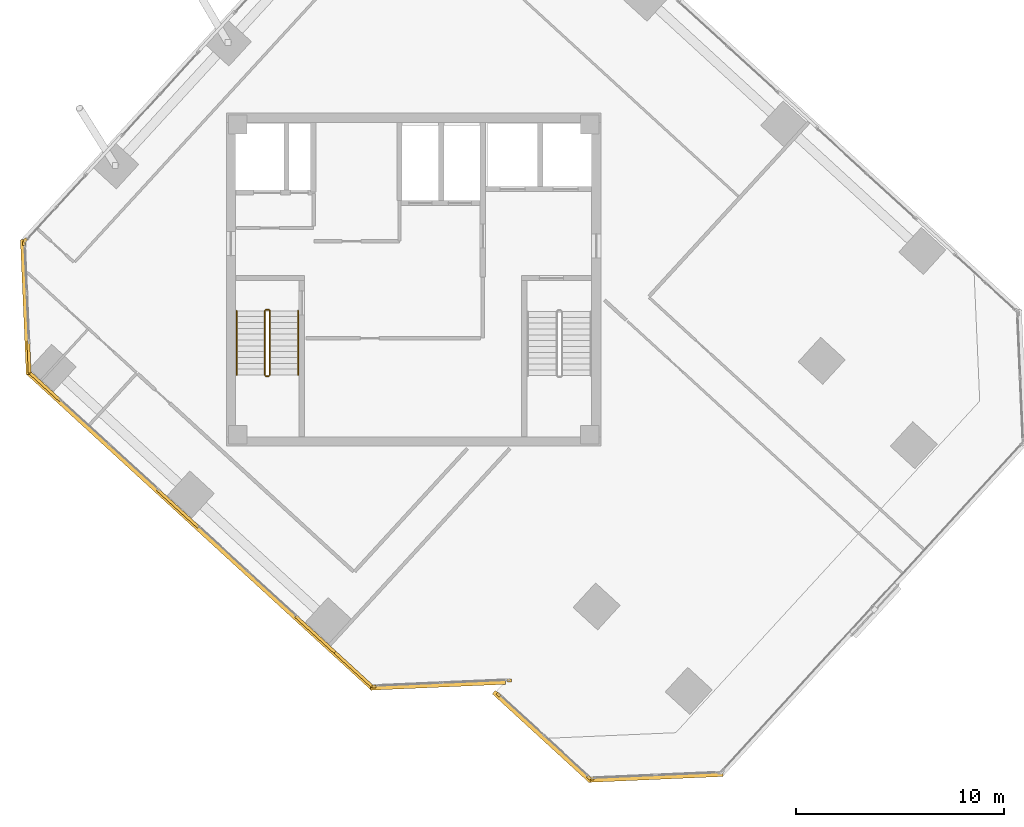
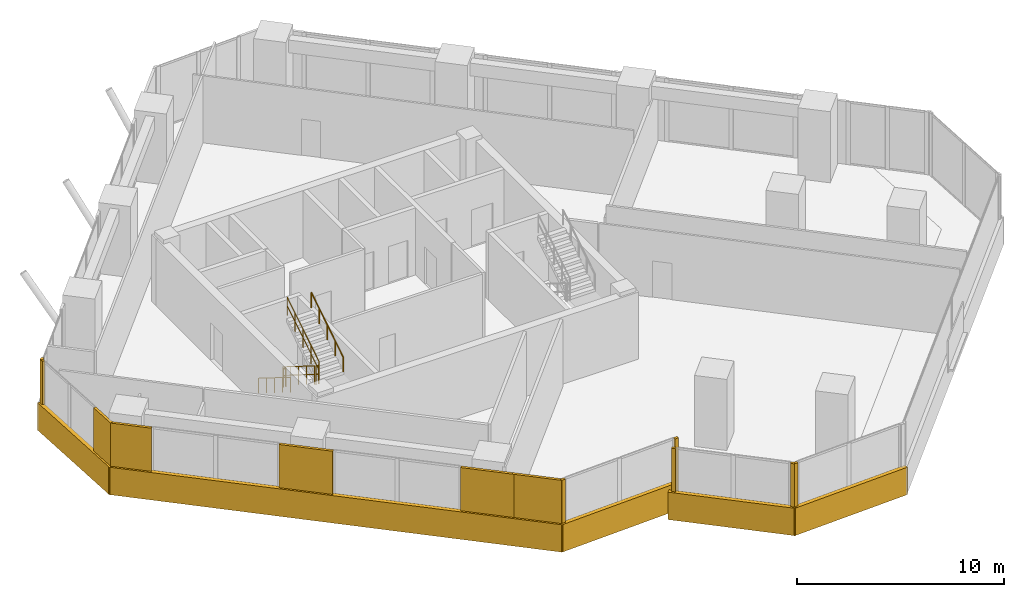
# One storey, part 15 of 18: 17 coverings, 6 railings.
"""IFC4 building model written with IfcOpenShell, lengths in metres."""

from ifc_helpers import new_model, si_unit, direction, frame, origin, origin_2d, place, context, subcontext, project, spatial, rectangle, circle, extrude, source, transform, mapped, material, layer, layer_set, type_object, element, save


model = new_model("IFC4")

# Units and contexts
model_context = context("Model", 3, precision=1e-05, world=origin(), true_north=direction((0.0, 1.0)))
body_context = subcontext(model_context, "Body", "Model", "MODEL_VIEW")
ifc_project = project(units=[si_unit("LENGTHUNIT", "METRE"), si_unit("AREAUNIT", "SQUARE_METRE"), si_unit("VOLUMEUNIT", "CUBIC_METRE"), si_unit("PLANEANGLEUNIT", "RADIAN"), si_unit("MASSUNIT", "GRAM", prefix="KILO")], contexts=[model_context])

# Site, building, storey
site_placement = place(None, origin())
site = spatial("IfcSite", under=ifc_project, at=site_placement, CompositionType="ELEMENT")
building_placement = place(site_placement, origin())
building = spatial("IfcBuilding", under=site, at=building_placement, Name="Torre Montelarca", CompositionType="ELEMENT")
storey_placement = place(building_placement, frame((0.0, 0.0, 237.39990234375)))
storey = spatial("IfcBuildingStorey", under=building, at=storey_placement, Name="L53", CompositionType="ELEMENT", Elevation=237.39990234375)

# Railings
ifc_material_1 = material(Name="Powder-coated steel ASTM A500 Grade C", Category="steel")
railing_type_1 = type_object("IfcRailingType", Name="RL-GUARD-1100", PredefinedType="BALUSTRADE", material=ifc_material_1)
railing_1_placement = place(storey_placement, frame((10.85009765625, 30.5, 0.175048828125)))
element("IfcRailing", 1, at=railing_1_placement, inside=storey, type_object=railing_type_1, Name="L53 ST1 stair guard 1", PredefinedType="BALUSTRADE", context=body_context, shape_type="SweptSolid", body=[
    extrude(circle(Radius=0.02392578125, at=origin_2d()), frame((0.0, 0.0, 1.076171875), z_axis=(0.0, -0.847998304005, 0.529998940003), x_axis=(1.0, 0.0, 0.0)), (0.0, 0.0, 1.0), 3.632080078125),
    extrude(circle(Radius=0.02099609375, at=origin_2d()), frame((0.0, 0.0, 0.572021484375), z_axis=(0.0, -0.847998304005, 0.529998940003), x_axis=(1.0, 0.0, 0.0)), (0.0, 0.0, 1.0), 3.632080078125),
    extrude(circle(Radius=0.02099609375, at=origin_2d()), origin(), (0.0, 0.0, 1.0), 1.052001953125),
    extrude(circle(Radius=0.02099609375, at=origin_2d()), frame((0.0, -0.77001953125, 0.481201171875)), (0.0, 0.0, 1.0), 1.052001953125),
    extrude(circle(Radius=0.02099609375, at=origin_2d()), frame((0.0, -1.5400390625, 0.96240234375)), (0.0, 0.0, 1.0), 1.052001953125),
    extrude(circle(Radius=0.02099609375, at=origin_2d()), frame((0.0, -2.31005859375, 1.44384765625)), (0.0, 0.0, 1.0), 1.052001953125),
    extrude(circle(Radius=0.02099609375, at=origin_2d()), frame((0.0, -3.080078125, 1.925048828125)), (0.0, 0.0, 1.0), 1.052001953125),
])
railing_2_placement = place(storey_placement, frame((10.89990234375, 27.3701171875, 2.10009765625)))
element("IfcRailing", 2, at=railing_2_placement, inside=storey, type_object=railing_type_1, Name="L53 ST1 stair guard 2", PredefinedType="BALUSTRADE", context=body_context, shape_type="SweptSolid", body=[
    extrude(circle(Radius=0.02392578125, at=origin_2d()), frame((0.0, 0.0, 1.076171875), z_axis=(1.0, 0.0, 0.0), x_axis=(0.0, 1.0, 0.0)), (0.0, 0.0, 1.0), 0.150146484375),
    extrude(circle(Radius=0.02099609375, at=origin_2d()), frame((0.0, 0.0, 0.572021484375), z_axis=(1.0, 0.0, 0.0), x_axis=(0.0, 1.0, 0.0)), (0.0, 0.0, 1.0), 0.150146484375),
    extrude(circle(Radius=0.02099609375, at=origin_2d()), origin(), (0.0, 0.0, 1.0), 1.052001953125),
    extrude(circle(Radius=0.02099609375, at=origin_2d()), frame((0.150146484375, 0.0, 0.0)), (0.0, 0.0, 1.0), 1.052001953125),
])
railing_3_placement = place(storey_placement, frame((11.10009765625, 27.419921875, 2.275146484375)))
element("IfcRailing", 3, at=railing_3_placement, inside=storey, type_object=railing_type_1, Name="L53 ST1 stair guard 3", PredefinedType="BALUSTRADE", context=body_context, shape_type="SweptSolid", body=[
    extrude(circle(Radius=0.02392578125, at=origin_2d()), frame((0.0, 0.0, 1.076171875), z_axis=(0.0, 0.847998304005, 0.529998940003), x_axis=(-1.0, 0.0, 0.0)), (0.0, 0.0, 1.0), 3.632080078125),
    extrude(circle(Radius=0.02099609375, at=origin_2d()), frame((0.0, 0.0, 0.572021484375), z_axis=(0.0, 0.847998304005, 0.529998940003), x_axis=(-1.0, 0.0, 0.0)), (0.0, 0.0, 1.0), 3.632080078125),
    extrude(circle(Radius=0.02099609375, at=origin_2d()), origin(), (0.0, 0.0, 1.0), 1.052001953125),
    extrude(circle(Radius=0.02099609375, at=origin_2d()), frame((0.0, 0.77001953125, 0.481201171875)), (0.0, 0.0, 1.0), 1.052001953125),
    extrude(circle(Radius=0.02099609375, at=origin_2d()), frame((0.0, 1.5400390625, 0.96240234375)), (0.0, 0.0, 1.0), 1.052001953125),
    extrude(circle(Radius=0.02099609375, at=origin_2d()), frame((0.0, 2.31005859375, 1.44384765625)), (0.0, 0.0, 1.0), 1.052001953125),
    extrude(circle(Radius=0.02099609375, at=origin_2d()), frame((0.0, 3.080078125, 1.925048828125)), (0.0, 0.0, 1.0), 1.052001953125),
])
railing_4_placement = place(storey_placement, frame((10.89990234375, 30.550048828125, 0.0)))
element("IfcRailing", 4, at=railing_4_placement, inside=storey, type_object=railing_type_1, Name="L53 ST1 stair guard 4", PredefinedType="BALUSTRADE", context=body_context, shape_type="SweptSolid", body=[
    extrude(circle(Radius=0.02392578125, at=origin_2d()), frame((0.0, 0.0, 1.076171875), z_axis=(1.0, 0.0, 0.0), x_axis=(0.0, 1.0, 0.0)), (0.0, 0.0, 1.0), 0.150146484375),
    extrude(circle(Radius=0.02099609375, at=origin_2d()), frame((0.0, 0.0, 0.572021484375), z_axis=(1.0, 0.0, 0.0), x_axis=(0.0, 1.0, 0.0)), (0.0, 0.0, 1.0), 0.150146484375),
    extrude(circle(Radius=0.02099609375, at=origin_2d()), origin(), (0.0, 0.0, 1.0), 1.052001953125),
    extrude(circle(Radius=0.02099609375, at=origin_2d()), frame((0.150146484375, 0.0, 0.0)), (0.0, 0.0, 1.0), 1.052001953125),
])
ifc_material_2 = material(Name="Brushed stainless steel AISI 316", Category="steel")
railing_type_2 = type_object("IfcRailingType", Name="RL-HANDRAIL-900", PredefinedType="HANDRAIL", material=ifc_material_2)
railing_5_placement = place(storey_placement, frame((9.5, 30.5, 0.175048828125)))
element("IfcRailing", 5, at=railing_5_placement, inside=storey, type_object=railing_type_2, Name="L53 ST1 stair handrail 1", PredefinedType="HANDRAIL", context=body_context, shape_type="SweptSolid", body=[
    extrude(circle(Radius=0.02392578125, at=origin_2d()), frame((0.0, 0.0, 0.8759765625), z_axis=(0.0, -0.847998304005, 0.529998940003), x_axis=(1.0, 0.0, 0.0)), (0.0, 0.0, 1.0), 3.632080078125),
    extrude(circle(Radius=0.02099609375, at=origin_2d()), origin(), (0.0, 0.0, 1.0), 0.851806640625),
    extrude(circle(Radius=0.02099609375, at=origin_2d()), frame((0.0, -0.77001953125, 0.481201171875)), (0.0, 0.0, 1.0), 0.851806640625),
    extrude(circle(Radius=0.02099609375, at=origin_2d()), frame((0.0, -1.5400390625, 0.96240234375)), (0.0, 0.0, 1.0), 0.851806640625),
    extrude(circle(Radius=0.02099609375, at=origin_2d()), frame((0.0, -2.31005859375, 1.44384765625)), (0.0, 0.0, 1.0), 0.851806640625),
    extrude(circle(Radius=0.02099609375, at=origin_2d()), frame((0.0, -3.080078125, 1.925048828125)), (0.0, 0.0, 1.0), 0.851806640625),
])
railing_6_placement = place(storey_placement, frame((12.449951171875, 27.419921875, 2.275146484375)))
element("IfcRailing", 6, at=railing_6_placement, inside=storey, type_object=railing_type_2, Name="L53 ST1 stair handrail 2", PredefinedType="HANDRAIL", context=body_context, shape_type="SweptSolid", body=[
    extrude(circle(Radius=0.02392578125, at=origin_2d()), frame((0.0, 0.0, 0.8759765625), z_axis=(0.0, 0.847998304005, 0.529998940003), x_axis=(-1.0, 0.0, 0.0)), (0.0, 0.0, 1.0), 3.632080078125),
    extrude(circle(Radius=0.02099609375, at=origin_2d()), origin(), (0.0, 0.0, 1.0), 0.851806640625),
    extrude(circle(Radius=0.02099609375, at=origin_2d()), frame((0.0, 0.77001953125, 0.481201171875)), (0.0, 0.0, 1.0), 0.851806640625),
    extrude(circle(Radius=0.02099609375, at=origin_2d()), frame((0.0, 1.5400390625, 0.96240234375)), (0.0, 0.0, 1.0), 0.851806640625),
    extrude(circle(Radius=0.02099609375, at=origin_2d()), frame((0.0, 2.31005859375, 1.44384765625)), (0.0, 0.0, 1.0), 0.851806640625),
    extrude(circle(Radius=0.02099609375, at=origin_2d()), frame((0.0, 3.080078125, 1.925048828125)), (0.0, 0.0, 1.0), 0.851806640625),
])

# Coverings
ifc_material_3 = material(Name="Bush-hammered warm white precast concrete C45/55", Category="concrete")
ifc_layer = layer(ifc_material_3, 0.139892578125, Name="Bush-hammered warm white precast concrete C45/55", Category="concrete")
ifc_layer_set = layer_set([ifc_layer], Name="Bush-hammered warm white precast concrete C45/55")
covering_type = type_object("IfcCoveringType", Name="COV-TRAY-CLAD", PredefinedType="CLADDING", material=ifc_layer_set)
shared_shape_1 = source(origin(), body_context, "Body", "SweptSolid", [
    extrude(rectangle(XDim=6.48388671875, YDim=0.219970703125, at=origin_2d()), origin(), (0.0, 0.0, 1.0), 1.6201171875),
])
for number, where, z_axis, x_axis, name in (
    (7, (19.164794921875, 12.534912109375, -0.449951171875), (0.0, 0.0, 1.0), (0.99904814545, 0.043621131033, 0.0), "L53 Architectural White Spandrel Tray Band TRYBOT-02"),
    (8, (29.620849609375, 8.10791015625, -0.449951171875), (0.0, 0.0, 1.0), (0.99904814545, 0.043621131033, 0.0), "L53 Architectural White Spandrel Tray Band TRYBOT-05"),
    (9, (-0.63671875, 30.6796875, -0.449951171875), (0.0, 0.0, 1.0), (0.043621131033, -0.99904814545, 0.0), "L53 Architectural White Spandrel Tray Band TRYBOT-11"),
):
    element("IfcCovering", number, at=place(storey_placement, frame(where, z_axis=z_axis, x_axis=x_axis)), inside=storey, type_object=covering_type, Name=name, PredefinedType="CLADDING", context=body_context, shape_type="MappedRepresentation", body=[
        mapped(shared_shape_1, transform((0.0, 0.0, 0.0), scale=1.0)),
    ])
shared_shape_2 = source(origin(), body_context, "Body", "SweptSolid", [
    extrude(rectangle(XDim=0.199951171875, YDim=0.139892578125, at=origin_2d()), origin(), (0.0, 0.0, 1.0), 3.719970703125),
])
for number, where, z_axis, x_axis, name in (
    (10, (16.09912109375, 12.4609375, 0.0), (0.0, 0.0, 1.0), (0.999047460128, 0.04363682404, 0.0), "L53 Architectural Column Pier Cladding E02-1"),
    (11, (22.5927734375, 12.74462890625, 0.0), (0.0, 0.0, 1.0), (0.999047460128, 0.04363682404, 0.0), "L53 Architectural Column Pier Cladding E02-2"),
    (12, (22.074462890625, 12.064208984375, 0.0), (0.0, 0.0, 1.0), (0.737282053302, -0.675585060432, 0.0), "L53 Architectural Column Pier Cladding E04-1"),
    (13, (26.418701171875, 8.08349609375, 0.0), (0.0, 0.0, 1.0), (0.737282053302, -0.675585060432, 0.0), "L53 Architectural Column Pier Cladding E04-2"),
    (14, (26.55517578125, 8.033935546875, 0.0), (0.0, 0.0, 1.0), (0.999047840893, 0.043628105704, 0.0), "L53 Architectural Column Pier Cladding E05-1"),
    (15, (-0.660888671875, 33.8818359375, 0.0), (0.0, 0.0, 1.0), (-0.675588920823, -0.737278515936, 0.0), "L53 Architectural Column Pier Cladding E10-5"),
    (16, (-0.71044921875, 33.745361328125, 0.0), (0.0, 0.0, 1.0), (0.043628105704, -0.999047840893, 0.0), "L53 Architectural Column Pier Cladding E11-1"),
):
    element("IfcCovering", number, at=place(storey_placement, frame(where, z_axis=z_axis, x_axis=x_axis)), inside=storey, type_object=covering_type, Name=name, PredefinedType="CLADDING", context=body_context, shape_type="MappedRepresentation", body=[
        mapped(shared_shape_2, transform((0.0, 0.0, 0.0), scale=1.0)),
    ])
shared_shape_3 = source(origin(), body_context, "Body", "SweptSolid", [
    extrude(rectangle(XDim=2.01416015625, YDim=0.139892578125, at=origin_2d()), origin(), (0.0, 0.0, 1.0), 3.719970703125),
])
covering_1_placement = place(storey_placement, frame((0.287109375, 26.87451171875, 0.0), z_axis=(0.0, 0.0, 1.0), x_axis=(0.73727733681, -0.675590207616, 0.0)))
element("IfcCovering", 17, at=covering_1_placement, inside=storey, type_object=covering_type, Name="L53 Architectural Column Pier Cladding E01-1", PredefinedType="CLADDING", context=body_context, shape_type="MappedRepresentation", body=[
    mapped(shared_shape_3, transform((0.0, 0.0, 0.0), scale=1.0)),
])
shared_shape_4 = source(origin(), body_context, "Body", "SweptSolid", [
    extrude(rectangle(XDim=2.659912109375, YDim=0.139892578125, at=origin_2d()), origin(), (0.0, 0.0, 1.0), 3.719970703125),
])
for number, where, z_axis, x_axis, name in (
    (18, (6.6845703125, 21.012451171875, 0.0), (0.0, 0.0, 1.0), (0.73727733681, -0.675590207616, 0.0), "L53 Architectural Column Pier Cladding E01-2"),
    (19, (13.320068359375, 14.93212890625, 0.0), (0.0, 0.0, 1.0), (0.73727733681, -0.675590207616, 0.0), "L53 Architectural Column Pier Cladding E01-3"),
):
    element("IfcCovering", number, at=place(storey_placement, frame(where, z_axis=z_axis, x_axis=x_axis)), inside=storey, type_object=covering_type, Name=name, PredefinedType="CLADDING", context=body_context, shape_type="MappedRepresentation", body=[
        mapped(shared_shape_4, transform((0.0, 0.0, 0.0), scale=1.0)),
    ])
shared_shape_5 = source(origin(), body_context, "Body", "SweptSolid", [
    extrude(rectangle(XDim=2.4541015625, YDim=0.139892578125, at=origin_2d()), origin(), (0.0, 0.0, 1.0), 3.719970703125),
])
covering_2_placement = place(storey_placement, frame((15.131591796875, 13.272216796875, 0.0), z_axis=(0.0, 0.0, 1.0), x_axis=(0.73727733681, -0.675590207616, 0.0)))
element("IfcCovering", 20, at=covering_2_placement, inside=storey, type_object=covering_type, Name="L53 Architectural Column Pier Cladding E01-4", PredefinedType="CLADDING", context=body_context, shape_type="MappedRepresentation", body=[
    mapped(shared_shape_5, transform((0.0, 0.0, 0.0), scale=1.0)),
])
shared_shape_6 = source(origin(), body_context, "Body", "SweptSolid", [
    extrude(rectangle(XDim=1.5263671875, YDim=0.139892578125, at=origin_2d()), origin(), (0.0, 0.0, 1.0), 3.719970703125),
])
covering_3_placement = place(storey_placement, frame((-0.471923828125, 28.281494140625, 0.0), z_axis=(0.0, 0.0, 1.0), x_axis=(0.043628105704, -0.999047840893, 0.0)))
element("IfcCovering", 21, at=covering_3_placement, inside=storey, type_object=covering_type, Name="L53 Architectural Column Pier Cladding E11-2", PredefinedType="CLADDING", context=body_context, shape_type="MappedRepresentation", body=[
    mapped(shared_shape_6, transform((0.0, 0.0, 0.0), scale=1.0)),
])
shared_shape_7 = source(origin(), body_context, "Body", "SweptSolid", [
    extrude(rectangle(XDim=22.52001953125, YDim=0.219970703125, at=origin_2d()), origin(), (0.0, 0.0, 1.0), 1.6201171875),
])
covering_4_placement = place(storey_placement, frame((7.75, 19.954833984375, -0.449951171875), z_axis=(0.0, 0.0, 1.0), x_axis=(0.73727733681, -0.675590207616, 0.0)))
element("IfcCovering", 22, at=covering_4_placement, inside=storey, type_object=covering_type, Name="L53 Architectural White Spandrel Tray Band TRYBOT-01", PredefinedType="CLADDING", context=body_context, shape_type="MappedRepresentation", body=[
    mapped(shared_shape_7, transform((0.0, 0.0, 0.0), scale=1.0)),
])
shared_shape_8 = source(origin(), body_context, "Body", "SweptSolid", [
    extrude(rectangle(XDim=6.31982421875, YDim=0.219970703125, at=origin_2d()), origin(), (0.0, 0.0, 1.0), 1.6201171875),
])
covering_5_placement = place(storey_placement, frame((24.177978515625, 10.055419921875, -0.449951171875), z_axis=(0.0, 0.0, 1.0), x_axis=(0.737280874182, -0.675586347231, 0.0)))
element("IfcCovering", 23, at=covering_5_placement, inside=storey, type_object=covering_type, Name="L53 Architectural White Spandrel Tray Band TRYBOT-04", PredefinedType="CLADDING", context=body_context, shape_type="MappedRepresentation", body=[
    mapped(shared_shape_8, transform((0.0, 0.0, 0.0), scale=1.0)),
])

save(model, "model.ifc")
